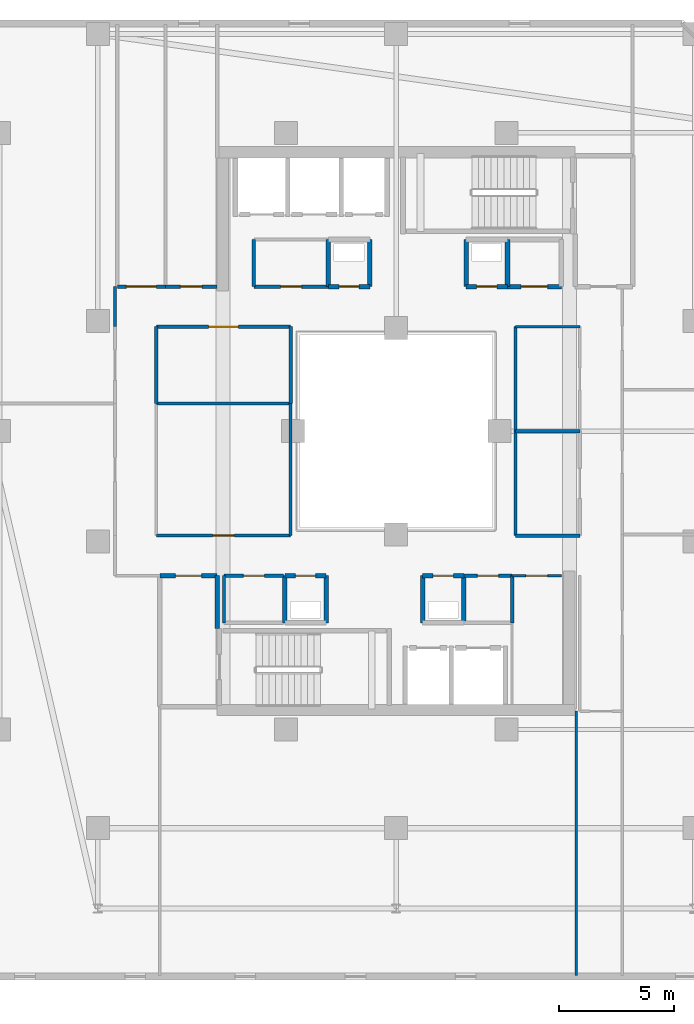
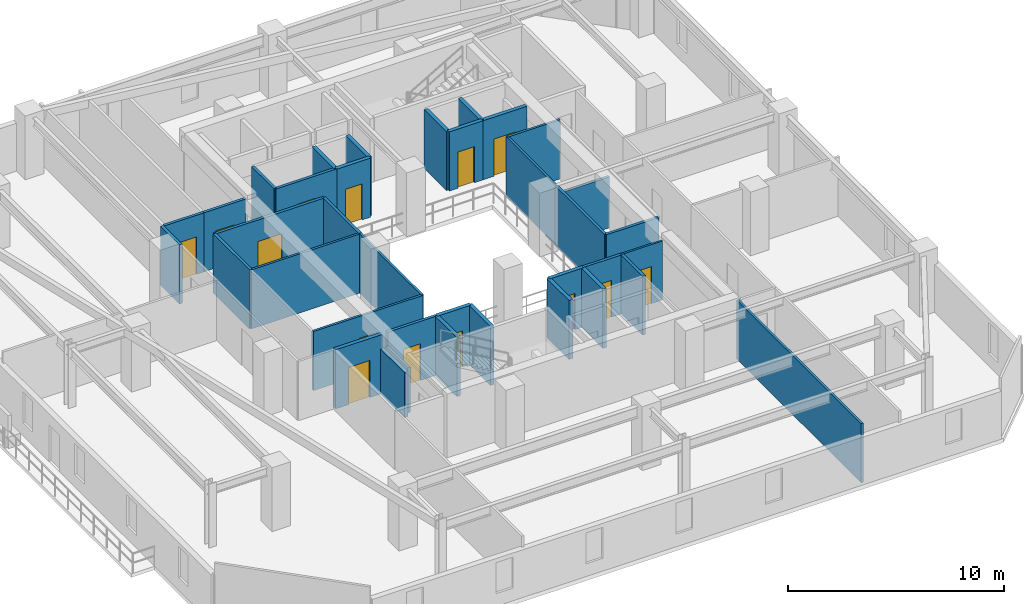
# One storey, part 19 of 32: 37 walls, 14 doors, 14 openings.
"""IFC4 building model written with IfcOpenShell, lengths in metres."""

from ifc_helpers import new_model, si_unit, direction, frame, frame_2d, origin, place, context, subcontext, project, spatial, rectangle, extrude, material, layer, layer_set, type_object, element, fill, save


model = new_model("IFC4")

# Units and contexts
model_context = context("Model", 3, precision=1e-05, world=origin(), true_north=direction((0.0, 1.0)))
body_context = subcontext(model_context, "Body", "Model", "MODEL_VIEW")
ifc_project = project(units=[si_unit("LENGTHUNIT", "METRE"), si_unit("AREAUNIT", "SQUARE_METRE"), si_unit("VOLUMEUNIT", "CUBIC_METRE"), si_unit("PLANEANGLEUNIT", "RADIAN"), si_unit("MASSUNIT", "GRAM", prefix="KILO")], contexts=[model_context])

# Site, building, storey
site_placement = place(None, origin())
site = spatial("IfcSite", under=ifc_project, at=site_placement, CompositionType="ELEMENT")
building_placement = place(site_placement, origin())
building = spatial("IfcBuilding", under=site, at=building_placement, Name="Thornwick Lancets Civic Towers", CompositionType="ELEMENT")
storey_placement = place(building_placement, frame((0.0, 0.0, 240.300048828125)))
storey = spatial("IfcBuildingStorey", under=building, at=storey_placement, Name="L64", CompositionType="ELEMENT", Elevation=240.300048828125)

# Wall
ifc_material_1 = material(Name="Concrete blockwork C40/50", Category="masonry")
ifc_layer_1 = layer(ifc_material_1, 0.199951171875, Name="Concrete blockwork C40/50")
ifc_layer_set_1 = layer_set([ifc_layer_1], Name="Concrete blockwork C40/50")
wall_type_1 = type_object("IfcWallType", Name="WALL_COMP_200", PredefinedType="STANDARD", material=ifc_layer_set_1)
wall_1_placement = place(storey_placement, frame((17.699951171875, 18.39990234375, 0.0), z_axis=(0.0, 0.0, 1.0), x_axis=(0.0, 1.0, 0.0)))
element("IfcWall", 1, at=wall_1_placement, inside=storey, type_object=wall_type_1, Name="L64 Partition L64-A-FFLOB1 E2", PredefinedType="STANDARD", context=body_context, shape_type="SweptSolid", body=[
    extrude(rectangle(XDim=2.300048828125, YDim=0.199951171875, at=frame_2d((1.14990234375, 0.0))), origin(), (0.0, 0.0, 1.0), 2.544921875),
])

# Wall, opening, door
wall_2_placement = place(storey_placement, frame((17.699951171875, 20.699951171875, 0.0), z_axis=(0.0, 0.0, 1.0), x_axis=(-1.0, 0.0, 0.0)))
wall_2 = element("IfcWall", 2, at=wall_2_placement, inside=storey, type_object=wall_type_1, Name="L64 Partition L64-A-FFLOB1 E3", PredefinedType="STANDARD", context=body_context, shape_type="SweptSolid", body=[
    extrude(rectangle(XDim=2.5, YDim=0.199951171875, at=frame_2d((1.25, 0.0))), origin(), (0.0, 0.0, 1.0), 3.33984375),
])
opening_1_placement = place(wall_2_placement, frame((0.675048828125, 0.0, 0.0)))
opening_1 = element("IfcOpeningElement", 3, at=opening_1_placement, cuts=wall_2, Name="Opening D-L64-2873", PredefinedType="OPENING", context=body_context, shape_type="SweptSolid", body=[
    extrude(rectangle(XDim=1.14990234375, YDim=2.10009765625, at=frame_2d((0.574951171875, 1.050048828125))), frame((0.0, 0.10986328125, 0.0), z_axis=(0.0, -1.0, 0.0), x_axis=(1.0, 0.0, 0.0)), (0.0, 0.0, 1.0), 0.219970703125),
])
ifc_material_2 = material(Name="Glazed fire-resisting steel", Category="steel")
door_type_1 = type_object("IfcDoorType", Name="DOOR_LOBBY_FD60", OperationType="NOTDEFINED", PredefinedType="DOOR", material=ifc_material_2)
door_1_placement = place(opening_1_placement, origin())
door_1 = element("IfcDoor", 4, at=door_1_placement, inside=storey, type_object=door_type_1, Name="L64 South Firefighting Lobby 1 Door", OperationType="SINGLE_SWING_RIGHT", OverallHeight=2.10009765625, OverallWidth=1.14990234375, PredefinedType="DOOR", context=body_context, shape_type="SweptSolid", body=[
    extrude(rectangle(XDim=1.14990234375, YDim=2.10009765625, at=frame_2d((0.574951171875, 1.050048828125))), frame((0.0, 0.02490234375, 0.0), z_axis=(0.0, -1.0, 0.0), x_axis=(1.0, 0.0, 0.0)), (0.0, 0.0, 1.0), 0.050048828125),
])
fill(opening_1, door_1)

# Wall
wall_3_placement = place(storey_placement, frame((28.449951171875, 18.64990234375, 0.0), z_axis=(0.0, 0.0, 1.0), x_axis=(0.0, 1.0, 0.0)))
element("IfcWall", 5, at=wall_3_placement, inside=storey, type_object=wall_type_1, Name="L64 Partition L64-A-DUCT1 E2", PredefinedType="STANDARD", context=body_context, shape_type="SweptSolid", body=[
    extrude(rectangle(XDim=2.050048828125, YDim=0.199951171875, at=frame_2d((1.02490234375, 0.0))), origin(), (0.0, 0.0, 1.0), 3.33984375),
])

# Wall, opening, door
wall_4_placement = place(storey_placement, frame((28.449951171875, 20.699951171875, 0.0), z_axis=(0.0, 0.0, 1.0), x_axis=(-1.0, 0.0, 0.0)))
wall_4 = element("IfcWall", 6, at=wall_4_placement, inside=storey, type_object=wall_type_1, Name="L64 Partition L64-A-DUCT1 E3", PredefinedType="STANDARD", context=body_context, shape_type="SweptSolid", body=[
    extrude(rectangle(XDim=1.800048828125, YDim=0.199951171875, at=frame_2d((0.89990234375, 0.0))), origin(), (0.0, 0.0, 1.0), 3.33984375),
])
opening_2_placement = place(wall_4_placement, frame((0.4599609375, 0.0, 0.0)))
opening_2 = element("IfcOpeningElement", 7, at=opening_2_placement, cuts=wall_4, Name="Opening D-L64-2875", PredefinedType="OPENING", context=body_context, shape_type="SweptSolid", body=[
    extrude(rectangle(XDim=0.8798828125, YDim=2.0400390625, at=frame_2d((0.43994140625, 1.02001953125))), frame((0.0, 0.10986328125, 0.0), z_axis=(0.0, -1.0, 0.0), x_axis=(1.0, 0.0, 0.0)), (0.0, 0.0, 1.0), 0.219970703125),
])
ifc_material_3 = material(Name="Steel riser access doorset", Category="steel")
door_type_2 = type_object("IfcDoorType", Name="DOOR_RISER_850", OperationType="NOTDEFINED", PredefinedType="DOOR", material=ifc_material_3)
door_2_placement = place(opening_2_placement, origin())
door_2 = element("IfcDoor", 8, at=door_2_placement, inside=storey, type_object=door_type_2, Name="L64 South Service Duct 1 Door", OperationType="SINGLE_SWING_RIGHT", OverallHeight=2.0400390625, OverallWidth=0.8798828125, PredefinedType="DOOR", context=body_context, shape_type="SweptSolid", body=[
    extrude(rectangle(XDim=0.8798828125, YDim=2.0400390625, at=frame_2d((0.43994140625, 1.02001953125))), frame((0.0, 0.02490234375, 0.0), z_axis=(0.0, -1.0, 0.0), x_axis=(1.0, 0.0, 0.0)), (0.0, 0.0, 1.0), 0.050048828125),
])
fill(opening_2, door_2)

# Walls
for number, where, z_axis, x_axis, name in (
    (9, (26.64990234375, 20.699951171875, 0.0), (0.0, 0.0, 1.0), (0.0, -1.0, 0.0), "L64 Partition L64-A-DUCT1 E4"),
    (10, (22.449951171875, 18.64990234375, 0.0), (0.0, 0.0, 1.0), (0.0, 1.0, 0.0), "L64 Partition L64-A-RISER1 E2"),
):
    element("IfcWall", number, at=place(storey_placement, frame(where, z_axis=z_axis, x_axis=x_axis)), inside=storey, type_object=wall_type_1, Name=name, PredefinedType="STANDARD", context=body_context, shape_type="SweptSolid", body=[
        extrude(rectangle(XDim=2.050048828125, YDim=0.199951171875, at=frame_2d((1.02490234375, 0.0))), origin(), (0.0, 0.0, 1.0), 3.33984375),
    ])

# Wall, opening, door
wall_5_placement = place(storey_placement, frame((22.449951171875, 20.699951171875, 0.0), z_axis=(0.0, 0.0, 1.0), x_axis=(-1.0, 0.0, 0.0)))
wall_5 = element("IfcWall", 11, at=wall_5_placement, inside=storey, type_object=wall_type_1, Name="L64 Partition L64-A-RISER1 E3", PredefinedType="STANDARD", context=body_context, shape_type="SweptSolid", body=[
    extrude(rectangle(XDim=1.800048828125, YDim=0.199951171875, at=frame_2d((0.89990234375, 0.0))), origin(), (0.0, 0.0, 1.0), 3.33984375),
])
opening_3_placement = place(wall_5_placement, frame((0.4599609375, 0.0, 0.0)))
opening_3 = element("IfcOpeningElement", 12, at=opening_3_placement, cuts=wall_5, Name="Opening D-L64-2876", PredefinedType="OPENING", context=body_context, shape_type="SweptSolid", body=[
    extrude(rectangle(XDim=0.8798828125, YDim=2.0400390625, at=frame_2d((0.43994140625, 1.02001953125))), frame((0.0, 0.10986328125, 0.0), z_axis=(0.0, -1.0, 0.0), x_axis=(1.0, 0.0, 0.0)), (0.0, 0.0, 1.0), 0.219970703125),
])
door_3_placement = place(opening_3_placement, origin())
door_3 = element("IfcDoor", 13, at=door_3_placement, inside=storey, type_object=door_type_2, Name="L64 South Electrical Riser 1 Door", OperationType="SINGLE_SWING_LEFT", OverallHeight=2.0400390625, OverallWidth=0.8798828125, PredefinedType="DOOR", context=body_context, shape_type="SweptSolid", body=[
    extrude(rectangle(XDim=0.8798828125, YDim=2.0400390625, at=frame_2d((0.43994140625, 1.02001953125))), frame((0.0, 0.02490234375, 0.0), z_axis=(0.0, -1.0, 0.0), x_axis=(1.0, 0.0, 0.0)), (0.0, 0.0, 1.0), 0.050048828125),
])
fill(opening_3, door_3)

# Wall
wall_6_placement = place(storey_placement, frame((20.64990234375, 20.699951171875, 0.0), z_axis=(0.0, 0.0, 1.0), x_axis=(0.0, -1.0, 0.0)))
element("IfcWall", 14, at=wall_6_placement, inside=storey, type_object=wall_type_1, Name="L64 Partition L64-A-RISER1 E4", PredefinedType="STANDARD", context=body_context, shape_type="SweptSolid", body=[
    extrude(rectangle(XDim=2.050048828125, YDim=0.199951171875, at=frame_2d((1.02490234375, 0.0))), origin(), (0.0, 0.0, 1.0), 3.33984375),
])

# Wall, opening, door
wall_7_placement = place(storey_placement, frame((22.550048828125, 33.300048828125, 0.0), z_axis=(0.0, 0.0, 1.0), x_axis=(1.0, 0.0, 0.0)))
wall_7 = element("IfcWall", 15, at=wall_7_placement, inside=storey, type_object=wall_type_1, Name="L64 Partition L64-A-DUCT2 E1", PredefinedType="STANDARD", context=body_context, shape_type="SweptSolid", body=[
    extrude(rectangle(XDim=1.800048828125, YDim=0.199951171875, at=frame_2d((0.89990234375, 0.0))), origin(), (0.0, 0.0, 1.0), 3.33984375),
])
opening_4_placement = place(wall_7_placement, frame((0.4599609375, 0.0, 0.0)))
opening_4 = element("IfcOpeningElement", 16, at=opening_4_placement, cuts=wall_7, Name="Opening D-L64-2877", PredefinedType="OPENING", context=body_context, shape_type="SweptSolid", body=[
    extrude(rectangle(XDim=0.8798828125, YDim=2.0400390625, at=frame_2d((0.43994140625, 1.02001953125))), frame((0.0, 0.10986328125, 0.0), z_axis=(0.0, -1.0, 0.0), x_axis=(1.0, 0.0, 0.0)), (0.0, 0.0, 1.0), 0.219970703125),
])
door_4_placement = place(opening_4_placement, origin())
door_4 = element("IfcDoor", 17, at=door_4_placement, inside=storey, type_object=door_type_2, Name="L64 North Service Duct 2 Door", OperationType="SINGLE_SWING_RIGHT", OverallHeight=2.0400390625, OverallWidth=0.8798828125, PredefinedType="DOOR", context=body_context, shape_type="SweptSolid", body=[
    extrude(rectangle(XDim=0.8798828125, YDim=2.0400390625, at=frame_2d((0.43994140625, 1.02001953125))), frame((0.0, 0.02490234375, 0.0), z_axis=(0.0, -1.0, 0.0), x_axis=(1.0, 0.0, 0.0)), (0.0, 0.0, 1.0), 0.050048828125),
])
fill(opening_4, door_4)

# Walls
for number, where, z_axis, x_axis, name in (
    (18, (24.35009765625, 33.300048828125, 0.0), (0.0, 0.0, 1.0), (0.0, 1.0, 0.0), "L64 Partition L64-A-DUCT2 E2"),
    (19, (22.550048828125, 35.35009765625, 0.0), (0.0, 0.0, 1.0), (0.0, -1.0, 0.0), "L64 Partition L64-A-DUCT2 E4"),
):
    element("IfcWall", number, at=place(storey_placement, frame(where, z_axis=z_axis, x_axis=x_axis)), inside=storey, type_object=wall_type_1, Name=name, PredefinedType="STANDARD", context=body_context, shape_type="SweptSolid", body=[
        extrude(rectangle(XDim=2.050048828125, YDim=0.199951171875, at=frame_2d((1.02490234375, 0.0))), origin(), (0.0, 0.0, 1.0), 3.33984375),
    ])

# Wall, opening, door
wall_8_placement = place(storey_placement, frame((28.550048828125, 33.300048828125, 0.0), z_axis=(0.0, 0.0, 1.0), x_axis=(1.0, 0.0, 0.0)))
wall_8 = element("IfcWall", 20, at=wall_8_placement, inside=storey, type_object=wall_type_1, Name="L64 Partition L64-A-RISER2 E1", PredefinedType="STANDARD", context=body_context, shape_type="SweptSolid", body=[
    extrude(rectangle(XDim=1.800048828125, YDim=0.199951171875, at=frame_2d((0.89990234375, 0.0))), origin(), (0.0, 0.0, 1.0), 3.33984375),
])
opening_5_placement = place(wall_8_placement, frame((0.4599609375, 0.0, 0.0)))
opening_5 = element("IfcOpeningElement", 21, at=opening_5_placement, cuts=wall_8, Name="Opening D-L64-2878", PredefinedType="OPENING", context=body_context, shape_type="SweptSolid", body=[
    extrude(rectangle(XDim=0.8798828125, YDim=2.0400390625, at=frame_2d((0.43994140625, 1.02001953125))), frame((0.0, 0.10986328125, 0.0), z_axis=(0.0, -1.0, 0.0), x_axis=(1.0, 0.0, 0.0)), (0.0, 0.0, 1.0), 0.219970703125),
])
door_5_placement = place(opening_5_placement, origin())
door_5 = element("IfcDoor", 22, at=door_5_placement, inside=storey, type_object=door_type_2, Name="L64 North Service Riser 2 Door", OperationType="SINGLE_SWING_LEFT", OverallHeight=2.0400390625, OverallWidth=0.8798828125, PredefinedType="DOOR", context=body_context, shape_type="SweptSolid", body=[
    extrude(rectangle(XDim=0.8798828125, YDim=2.0400390625, at=frame_2d((0.43994140625, 1.02001953125))), frame((0.0, 0.02490234375, 0.0), z_axis=(0.0, -1.0, 0.0), x_axis=(1.0, 0.0, 0.0)), (0.0, 0.0, 1.0), 0.050048828125),
])
fill(opening_5, door_5)

# Walls
for number, where, z_axis, x_axis, name in (
    (23, (30.35009765625, 33.300048828125, 0.0), (0.0, 0.0, 1.0), (0.0, 1.0, 0.0), "L64 Partition L64-A-RISER2 E2"),
    (24, (28.550048828125, 35.35009765625, 0.0), (0.0, 0.0, 1.0), (0.0, -1.0, 0.0), "L64 Partition L64-A-RISER2 E4"),
):
    element("IfcWall", number, at=place(storey_placement, frame(where, z_axis=z_axis, x_axis=x_axis)), inside=storey, type_object=wall_type_1, Name=name, PredefinedType="STANDARD", context=body_context, shape_type="SweptSolid", body=[
        extrude(rectangle(XDim=2.050048828125, YDim=0.199951171875, at=frame_2d((1.02490234375, 0.0))), origin(), (0.0, 0.0, 1.0), 3.33984375),
    ])

# Wall, opening, door
wall_9_placement = place(storey_placement, frame((32.699951171875, 33.300048828125, 0.0), z_axis=(0.0, 0.0, 1.0), x_axis=(-1.0, 0.0, 0.0)))
wall_9 = element("IfcWall", 25, at=wall_9_placement, inside=storey, type_object=wall_type_1, Name="L64 Partition L64-A-STR E2", PredefinedType="STANDARD", context=body_context, shape_type="SweptSolid", body=[
    extrude(rectangle(XDim=2.349853515625, YDim=0.199951171875, at=frame_2d((1.1748046875, 0.0))), origin(), (0.0, 0.0, 1.0), 3.33984375),
])
opening_6_placement = place(wall_9_placement, frame((0.60009765625, 0.0, 0.0)))
opening_6 = element("IfcOpeningElement", 26, at=opening_6_placement, cuts=wall_9, Name="Opening D-L64-2883", PredefinedType="OPENING", context=body_context, shape_type="SweptSolid", body=[
    extrude(rectangle(XDim=1.14990234375, YDim=2.10009765625, at=frame_2d((0.574951171875, 1.050048828125))), frame((0.0, 0.10986328125, 0.0), z_axis=(0.0, -1.0, 0.0), x_axis=(1.0, 0.0, 0.0)), (0.0, 0.0, 1.0), 0.219970703125),
])
door_6_placement = place(opening_6_placement, origin())
door_6 = element("IfcDoor", 27, at=door_6_placement, inside=storey, type_object=door_type_1, Name="L64 Tower A Core Equipment Store Door", OperationType="SINGLE_SWING_RIGHT", OverallHeight=2.10009765625, OverallWidth=1.14990234375, PredefinedType="DOOR", context=body_context, shape_type="SweptSolid", body=[
    extrude(rectangle(XDim=1.14990234375, YDim=2.10009765625, at=frame_2d((0.574951171875, 1.050048828125))), frame((0.0, 0.02490234375, 0.0), z_axis=(0.0, -1.0, 0.0), x_axis=(1.0, 0.0, 0.0)), (0.0, 0.0, 1.0), 0.050048828125),
])
fill(opening_6, door_6)

ifc_material_4 = material(Name="Lightweight cellular office partition")
ifc_layer_2 = layer(ifc_material_4, 0.10009765625, Name="Lightweight cellular office partition")
ifc_layer_set_2 = layer_set([ifc_layer_2], Name="Lightweight cellular office partition")
wall_type_2 = type_object("IfcWallType", Name="WALL_PART_100", PredefinedType="PARTITIONING", material=ifc_layer_set_2)
wall_10_placement = place(storey_placement, frame((30.550048828125, 20.699951171875, 0.0), z_axis=(0.0, 0.0, 1.0), x_axis=(1.0, 0.0, 0.0)))
wall_10 = element("IfcWall", 28, at=wall_10_placement, inside=storey, type_object=wall_type_2, Name="L64 Partition L64-A-CLN E5", PredefinedType="PARTITIONING", context=body_context, shape_type="SweptSolid", body=[
    extrude(rectangle(XDim=2.14990234375, YDim=0.10009765625, at=frame_2d((1.074951171875, 0.0))), origin(), (0.0, 0.0, 1.0), 3.33984375),
])
opening_7_placement = place(wall_10_placement, frame((0.60009765625, 0.0, 0.0)))
opening_7 = element("IfcOpeningElement", 29, at=opening_7_placement, cuts=wall_10, Name="Opening D-L64-2881", PredefinedType="OPENING", context=body_context, shape_type="SweptSolid", body=[
    extrude(rectangle(XDim=0.949951171875, YDim=2.10009765625, at=frame_2d((0.47509765625, 1.050048828125))), frame((0.0, 0.06005859375, 0.0), z_axis=(0.0, -1.0, 0.0), x_axis=(1.0, 0.0, 0.0)), (0.0, 0.0, 1.0), 0.1201171875),
])
ifc_material_5 = material(Name="European oak acoustic doorset")
door_type_3 = type_object("IfcDoorType", Name="DOOR_OFFICE_950", OperationType="NOTDEFINED", PredefinedType="DOOR", material=ifc_material_5)
door_7_placement = place(opening_7_placement, origin())
door_7 = element("IfcDoor", 30, at=door_7_placement, inside=storey, type_object=door_type_3, Name="L64 Tower A Cleaners Store Door", OperationType="SINGLE_SWING_RIGHT", OverallHeight=2.10009765625, OverallWidth=0.949951171875, PredefinedType="DOOR", context=body_context, shape_type="SweptSolid", body=[
    extrude(rectangle(XDim=0.949951171875, YDim=2.10009765625, at=frame_2d((0.47509765625, 1.050048828125))), frame((0.0, 0.02490234375, 0.0), z_axis=(0.0, -1.0, 0.0), x_axis=(1.0, 0.0, 0.0)), (0.0, 0.0, 1.0), 0.050048828125),
])
fill(opening_7, door_7)

# Walls
ifc_material_6 = material(Name="Acoustic gypsum board partition")
ifc_layer_3 = layer(ifc_material_6, 0.1201171875, Name="Acoustic gypsum board partition")
ifc_layer_set_3 = layer_set([ifc_layer_3], Name="Acoustic gypsum board partition")
wall_type_3 = type_object("IfcWallType", Name="WALL_PART_120", PredefinedType="PARTITIONING", material=ifc_layer_set_3)
wall_11_placement = place(storey_placement, frame((33.35009765625, 3.280029296875, 0.0), z_axis=(0.0, 0.0, 1.0), x_axis=(0.0, 1.0, 0.0)))
element("IfcWall", 31, at=wall_11_placement, inside=storey, type_object=wall_type_3, Name="L64 Partition L64-A-RECLAIM-L E5", PredefinedType="PARTITIONING", context=body_context, shape_type="SweptSolid", body=[
    extrude(rectangle(XDim=11.52001953125, YDim=0.1201171875, at=frame_2d((5.760009765625, 0.0))), origin(), (0.0, 0.0, 1.0), 3.33984375),
])
wall_12_placement = place(storey_placement, frame((15.050048828125, 28.199951171875, 0.0), z_axis=(0.0, 0.0, 1.0), x_axis=(1.0, 0.0, 0.0)))
element("IfcWall", 32, at=wall_12_placement, inside=storey, type_object=wall_type_3, Name="L64 Partition L64-A-W3 E2", PredefinedType="PARTITIONING", context=body_context, shape_type="SweptSolid", body=[
    extrude(rectangle(XDim=5.849853515625, YDim=0.1201171875, at=frame_2d((2.9248046875, 0.0))), origin(), (0.0, 0.0, 1.0), 3.33984375),
])
wall_13_placement = place(storey_placement, frame((20.89990234375, 28.199951171875, 0.0), z_axis=(0.0, 0.0, 1.0), x_axis=(0.0, -1.0, 0.0)))
element("IfcWall", 33, at=wall_13_placement, inside=storey, type_object=wall_type_3, Name="L64 Partition L64-A-W3 E3", PredefinedType="PARTITIONING", context=body_context, shape_type="SweptSolid", body=[
    extrude(rectangle(XDim=5.75, YDim=0.1201171875, at=frame_2d((2.875, 0.0))), origin(), (0.0, 0.0, 1.0), 3.33984375),
])

# Wall, opening, door
wall_14_placement = place(storey_placement, frame((20.89990234375, 22.449951171875, 0.0), z_axis=(0.0, 0.0, 1.0), x_axis=(-1.0, 0.0, 0.0)))
wall_14 = element("IfcWall", 34, at=wall_14_placement, inside=storey, type_object=wall_type_3, Name="L64 Partition L64-A-W3 E4", PredefinedType="PARTITIONING", context=body_context, shape_type="SweptSolid", body=[
    extrude(rectangle(XDim=5.849853515625, YDim=0.1201171875, at=frame_2d((2.9248046875, 0.0))), origin(), (0.0, 0.0, 1.0), 3.33984375),
])
opening_8_placement = place(wall_14_placement, frame((2.449951171875, 0.0, 0.0)))
opening_8 = element("IfcOpeningElement", 35, at=opening_8_placement, cuts=wall_14, Name="Opening D-L64-2900", PredefinedType="OPENING", context=body_context, shape_type="SweptSolid", body=[
    extrude(rectangle(XDim=0.949951171875, YDim=2.10009765625, at=frame_2d((0.47509765625, 1.050048828125))), frame((0.0, 0.070068359375, 0.0), z_axis=(0.0, -1.0, 0.0), x_axis=(1.0, 0.0, 0.0)), (0.0, 0.0, 1.0), 0.14013671875),
])
door_8_placement = place(opening_8_placement, origin())
door_8 = element("IfcDoor", 36, at=door_8_placement, inside=storey, type_object=door_type_3, Name="L64 Tower A Staff Tea Pantry and Lounge Door", OperationType="SINGLE_SWING_LEFT", OverallHeight=2.10009765625, OverallWidth=0.949951171875, PredefinedType="DOOR", context=body_context, shape_type="SweptSolid", body=[
    extrude(rectangle(XDim=0.949951171875, YDim=2.10009765625, at=frame_2d((0.47509765625, 1.050048828125))), frame((0.0, 0.02490234375, 0.0), z_axis=(0.0, -1.0, 0.0), x_axis=(1.0, 0.0, 0.0)), (0.0, 0.0, 1.0), 0.050048828125),
])
fill(opening_8, door_8)

# Walls
wall_15_placement = place(storey_placement, frame((30.699951171875, 27.0, 0.0), z_axis=(0.0, 0.0, 1.0), x_axis=(0.0, 1.0, 0.0)))
element("IfcWall", 37, at=wall_15_placement, inside=storey, type_object=wall_type_3, Name="L64 Partition L64-A-E-ATR-2 E1", PredefinedType="PARTITIONING", context=body_context, shape_type="SweptSolid", body=[
    extrude(rectangle(XDim=4.550048828125, YDim=0.1201171875, at=frame_2d((2.27490234375, 0.0))), origin(), (0.0, 0.0, 1.0), 3.33984375),
])
wall_16_placement = place(storey_placement, frame((30.699951171875, 31.550048828125, 0.0), z_axis=(0.0, 0.0, 1.0), x_axis=(1.0, 0.0, 0.0)))
element("IfcWall", 38, at=wall_16_placement, inside=storey, type_object=wall_type_3, Name="L64 Partition L64-A-E-ATR-2 E2", PredefinedType="PARTITIONING", context=body_context, shape_type="SweptSolid", body=[
    extrude(rectangle(XDim=2.800048828125, YDim=0.1201171875, at=frame_2d((1.39990234375, 0.0))), origin(), (0.0, 0.0, 1.0), 3.33984375),
])

# Wall, opening, door
ifc_material_7 = material(Name="Twin-stud acoustic gypsum board")
ifc_layer_4 = layer(ifc_material_7, 0.14990234375, Name="Twin-stud acoustic gypsum board")
ifc_layer_set_4 = layer_set([ifc_layer_4], Name="Twin-stud acoustic gypsum board")
wall_type_4 = type_object("IfcWallType", Name="WALL_PART_150", PredefinedType="PARTITIONING", material=ifc_layer_set_4)
wall_17_placement = place(storey_placement, frame((20.60009765625, 20.699951171875, 0.0), z_axis=(0.0, 0.0, 1.0), x_axis=(-1.0, 0.0, 0.0)))
wall_17 = element("IfcWall", 39, at=wall_17_placement, inside=storey, type_object=wall_type_4, Name="L64 Partition L64-A-AWC E3", PredefinedType="PARTITIONING", context=body_context, shape_type="SweptSolid", body=[
    extrude(rectangle(XDim=2.60009765625, YDim=0.14990234375, at=frame_2d((1.300048828125, 0.0))), origin(), (0.0, 0.0, 1.0), 3.33984375),
])
opening_9_placement = place(wall_17_placement, frame((0.840087890625, 0.0, 0.0)))
opening_9 = element("IfcOpeningElement", 40, at=opening_9_placement, cuts=wall_17, Name="Opening D-L64-2879", PredefinedType="OPENING", context=body_context, shape_type="SweptSolid", body=[
    extrude(rectangle(XDim=0.919921875, YDim=2.080078125, at=frame_2d((0.4599609375, 1.0400390625))), frame((0.0, 0.0849609375, 0.0), z_axis=(0.0, -1.0, 0.0), x_axis=(1.0, 0.0, 0.0)), (0.0, 0.0, 1.0), 0.169921875),
])
ifc_material_8 = material(Name="Moisture-resistant oak doorset")
door_type_4 = type_object("IfcDoorType", Name="DOOR_WC_900", OperationType="NOTDEFINED", PredefinedType="DOOR", material=ifc_material_8)
door_9_placement = place(opening_9_placement, origin())
door_9 = element("IfcDoor", 41, at=door_9_placement, inside=storey, type_object=door_type_4, Name="L64 Tower A Accessible WC Door", OperationType="SINGLE_SWING_RIGHT", OverallHeight=2.080078125, OverallWidth=0.919921875, PredefinedType="DOOR", context=body_context, shape_type="SweptSolid", body=[
    extrude(rectangle(XDim=0.919921875, YDim=2.080078125, at=frame_2d((0.4599609375, 1.0400390625))), frame((0.0, 0.02490234375, 0.0), z_axis=(0.0, -1.0, 0.0), x_axis=(1.0, 0.0, 0.0)), (0.0, 0.0, 1.0), 0.050048828125),
])
fill(opening_9, door_9)

# Walls
wall_18_placement = place(storey_placement, frame((18.0, 20.699951171875, 0.0), z_axis=(0.0, 0.0, 1.0), x_axis=(0.0, -1.0, 0.0)))
element("IfcWall", 42, at=wall_18_placement, inside=storey, type_object=wall_type_4, Name="L64 Partition L64-A-AWC E4", PredefinedType="PARTITIONING", context=body_context, shape_type="SweptSolid", body=[
    extrude(rectangle(XDim=2.050048828125, YDim=0.14990234375, at=frame_2d((1.02490234375, 0.0))), origin(), (0.0, 0.0, 1.0), 2.544921875),
])
wall_19_placement = place(storey_placement, frame((30.550048828125, 20.699951171875, 0.0), z_axis=(0.0, 0.0, 1.0), x_axis=(0.0, -1.0, 0.0)))
element("IfcWall", 43, at=wall_19_placement, inside=storey, type_object=wall_type_4, Name="L64 Partition L64-A-MWC E1", PredefinedType="PARTITIONING", context=body_context, shape_type="SweptSolid", body=[
    extrude(rectangle(XDim=2.050048828125, YDim=0.14990234375, at=frame_2d((1.02490234375, 0.0))), origin(), (0.0, 0.0, 1.0), 3.33984375),
])

# Wall, opening, door
wall_20_placement = place(storey_placement, frame((28.449951171875, 20.699951171875, 0.0), z_axis=(0.0, 0.0, 1.0), x_axis=(1.0, 0.0, 0.0)))
wall_20 = element("IfcWall", 44, at=wall_20_placement, inside=storey, type_object=wall_type_4, Name="L64 Partition L64-A-MWC E4", PredefinedType="PARTITIONING", context=body_context, shape_type="SweptSolid", body=[
    extrude(rectangle(XDim=2.10009765625, YDim=0.14990234375, at=frame_2d((1.050048828125, 0.0))), origin(), (0.0, 0.0, 1.0), 3.33984375),
])
opening_10_placement = place(wall_20_placement, frame((0.590087890625, 0.0, 0.0)))
opening_10 = element("IfcOpeningElement", 45, at=opening_10_placement, cuts=wall_20, Name="Opening D-L64-2880", PredefinedType="OPENING", context=body_context, shape_type="SweptSolid", body=[
    extrude(rectangle(XDim=0.919921875, YDim=2.080078125, at=frame_2d((0.4599609375, 1.0400390625))), frame((0.0, 0.0849609375, 0.0), z_axis=(0.0, -1.0, 0.0), x_axis=(1.0, 0.0, 0.0)), (0.0, 0.0, 1.0), 0.169921875),
])
door_10_placement = place(opening_10_placement, origin())
door_10 = element("IfcDoor", 46, at=door_10_placement, inside=storey, type_object=door_type_4, Name="L64 Tower A Male WC Door", OperationType="SINGLE_SWING_LEFT", OverallHeight=2.080078125, OverallWidth=0.919921875, PredefinedType="DOOR", context=body_context, shape_type="SweptSolid", body=[
    extrude(rectangle(XDim=0.919921875, YDim=2.080078125, at=frame_2d((0.4599609375, 1.0400390625))), frame((0.0, 0.02490234375, 0.0), z_axis=(0.0, -1.0, 0.0), x_axis=(1.0, 0.0, 0.0)), (0.0, 0.0, 1.0), 0.050048828125),
])
fill(opening_10, door_10)

# Wall
wall_21_placement = place(storey_placement, frame((19.300048828125, 33.300048828125, 0.0), z_axis=(0.0, 0.0, 1.0), x_axis=(0.0, 1.0, 0.0)))
element("IfcWall", 47, at=wall_21_placement, inside=storey, type_object=wall_type_4, Name="L64 Partition L64-A-FWC E1", PredefinedType="PARTITIONING", context=body_context, shape_type="SweptSolid", body=[
    extrude(rectangle(XDim=2.050048828125, YDim=0.14990234375, at=frame_2d((1.02490234375, 0.0))), origin(), (0.0, 0.0, 1.0), 3.33984375),
])

# Wall, opening, door
wall_22_placement = place(storey_placement, frame((22.550048828125, 33.300048828125, 0.0), z_axis=(0.0, 0.0, 1.0), x_axis=(-1.0, 0.0, 0.0)))
wall_22 = element("IfcWall", 48, at=wall_22_placement, inside=storey, type_object=wall_type_4, Name="L64 Partition L64-A-FWC E4", PredefinedType="PARTITIONING", context=body_context, shape_type="SweptSolid", body=[
    extrude(rectangle(XDim=3.25, YDim=0.14990234375, at=frame_2d((1.625, 0.0))), origin(), (0.0, 0.0, 1.0), 3.33984375),
])
opening_11_placement = place(wall_22_placement, frame((1.1650390625, 0.0, 0.0)))
opening_11 = element("IfcOpeningElement", 49, at=opening_11_placement, cuts=wall_22, Name="Opening D-L64-2882", PredefinedType="OPENING", context=body_context, shape_type="SweptSolid", body=[
    extrude(rectangle(XDim=0.919921875, YDim=2.080078125, at=frame_2d((0.4599609375, 1.0400390625))), frame((0.0, 0.0849609375, 0.0), z_axis=(0.0, -1.0, 0.0), x_axis=(1.0, 0.0, 0.0)), (0.0, 0.0, 1.0), 0.169921875),
])
door_11_placement = place(opening_11_placement, origin())
door_11 = element("IfcDoor", 50, at=door_11_placement, inside=storey, type_object=door_type_4, Name="L64 Tower A Female WC Door", OperationType="SINGLE_SWING_LEFT", OverallHeight=2.080078125, OverallWidth=0.919921875, PredefinedType="DOOR", context=body_context, shape_type="SweptSolid", body=[
    extrude(rectangle(XDim=0.919921875, YDim=2.080078125, at=frame_2d((0.4599609375, 1.0400390625))), frame((0.0, 0.02490234375, 0.0), z_axis=(0.0, -1.0, 0.0), x_axis=(1.0, 0.0, 0.0)), (0.0, 0.0, 1.0), 0.050048828125),
])
fill(opening_11, door_11)

wall_23_placement = place(storey_placement, frame((15.449951171875, 33.300048828125, 0.0), z_axis=(0.0, 0.0, 1.0), x_axis=(-1.0, 0.0, 0.0)))
wall_23 = element("IfcWall", 51, at=wall_23_placement, inside=storey, type_object=wall_type_4, Name="L64 Partition L64-A-RECLAIM-M1 E4", PredefinedType="PARTITIONING", context=body_context, shape_type="SweptSolid", body=[
    extrude(rectangle(XDim=2.099853515625, YDim=0.14990234375, at=frame_2d((1.0498046875, 0.0))), origin(), (0.0, 0.0, 1.0), 3.33984375),
])
opening_12_placement = place(wall_23_placement, frame((0.39990234375, 0.0, 0.0)))
opening_12 = element("IfcOpeningElement", 52, at=opening_12_placement, cuts=wall_23, Name="Opening D-L64-2896", PredefinedType="OPENING", context=body_context, shape_type="SweptSolid", body=[
    extrude(rectangle(XDim=1.300048828125, YDim=2.1201171875, at=frame_2d((0.64990234375, 1.06005859375))), frame((0.0, 0.0849609375, 0.0), z_axis=(0.0, -1.0, 0.0), x_axis=(1.0, 0.0, 0.0)), (0.0, 0.0, 1.0), 0.169921875),
])
ifc_material_9 = material(Name="Acoustic oak leaf-and-a-half doorset")
door_type_5 = type_object("IfcDoorType", Name="DOOR_MEET_1300", OperationType="DOUBLE_DOOR_SINGLE_SWING", PredefinedType="DOOR", material=ifc_material_9)
door_12_placement = place(opening_12_placement, origin())
door_12 = element("IfcDoor", 53, at=door_12_placement, inside=storey, type_object=door_type_5, Name="L64 Tower A Diplomatic Conference Room Door", OperationType="DOUBLE_DOOR_SINGLE_SWING", OverallHeight=2.1201171875, OverallWidth=1.300048828125, PredefinedType="DOOR", context=body_context, shape_type="SweptSolid", body=[
    extrude(rectangle(XDim=1.300048828125, YDim=2.1201171875, at=frame_2d((0.64990234375, 1.06005859375))), frame((0.0, 0.02490234375, 0.0), z_axis=(0.0, -1.0, 0.0), x_axis=(1.0, 0.0, 0.0)), (0.0, 0.0, 1.0), 0.050048828125),
])
fill(opening_12, door_12)

wall_24_placement = place(storey_placement, frame((17.699951171875, 33.300048828125, 0.0), z_axis=(0.0, 0.0, 1.0), x_axis=(-1.0, 0.0, 0.0)))
wall_24 = element("IfcWall", 54, at=wall_24_placement, inside=storey, type_object=wall_type_4, Name="L64 Partition L64-A-RECLAIM-M2 E4", PredefinedType="PARTITIONING", context=body_context, shape_type="SweptSolid", body=[
    extrude(rectangle(XDim=2.25, YDim=0.14990234375, at=frame_2d((1.125, 0.0))), origin(), (0.0, 0.0, 1.0), 3.33984375),
])
opening_13_placement = place(wall_24_placement, frame((0.64990234375, 0.0, 0.0)))
opening_13 = element("IfcOpeningElement", 55, at=opening_13_placement, cuts=wall_24, Name="Opening D-L64-2897", PredefinedType="OPENING", context=body_context, shape_type="SweptSolid", body=[
    extrude(rectangle(XDim=0.949951171875, YDim=2.10009765625, at=frame_2d((0.47509765625, 1.050048828125))), frame((0.0, 0.0849609375, 0.0), z_axis=(0.0, -1.0, 0.0), x_axis=(1.0, 0.0, 0.0)), (0.0, 0.0, 1.0), 0.169921875),
])
door_13_placement = place(opening_13_placement, origin())
door_13 = element("IfcDoor", 56, at=door_13_placement, inside=storey, type_object=door_type_3, Name="L64 Tower A Executive Records Archive Door", OperationType="SINGLE_SWING_RIGHT", OverallHeight=2.10009765625, OverallWidth=0.949951171875, PredefinedType="DOOR", context=body_context, shape_type="SweptSolid", body=[
    extrude(rectangle(XDim=0.949951171875, YDim=2.10009765625, at=frame_2d((0.47509765625, 1.050048828125))), frame((0.0, 0.02490234375, 0.0), z_axis=(0.0, -1.0, 0.0), x_axis=(1.0, 0.0, 0.0)), (0.0, 0.0, 1.0), 0.050048828125),
])
fill(opening_13, door_13)

# Walls
wall_25_placement = place(storey_placement, frame((13.25, 33.300048828125, 0.0), z_axis=(0.0, 0.0, 1.0), x_axis=(0.0, -1.0, 0.0)))
element("IfcWall", 57, at=wall_25_placement, inside=storey, type_object=wall_type_4, Name="L64 Partition L64-A-W2 E5", PredefinedType="PARTITIONING", context=body_context, shape_type="SweptSolid", body=[
    extrude(rectangle(XDim=1.75, YDim=0.14990234375, at=frame_2d((0.875, 0.0))), origin(), (0.0, 0.0, 1.0), 3.33984375),
])
wall_26_placement = place(storey_placement, frame((15.050048828125, 28.199951171875, 0.0), z_axis=(0.0, 0.0, 1.0), x_axis=(0.0, 1.0, 0.0)))
element("IfcWall", 58, at=wall_26_placement, inside=storey, type_object=wall_type_4, Name="L64 Partition L64-A-W4 E1", PredefinedType="PARTITIONING", context=body_context, shape_type="SweptSolid", body=[
    extrude(rectangle(XDim=3.35009765625, YDim=0.14990234375, at=frame_2d((1.675048828125, 0.0))), origin(), (0.0, 0.0, 1.0), 3.33984375),
])

# Wall, opening, door
wall_27_placement = place(storey_placement, frame((15.050048828125, 31.550048828125, 0.0), z_axis=(0.0, 0.0, 1.0), x_axis=(1.0, 0.0, 0.0)))
wall_27 = element("IfcWall", 59, at=wall_27_placement, inside=storey, type_object=wall_type_4, Name="L64 Partition L64-A-W4 E2", PredefinedType="PARTITIONING", context=body_context, shape_type="SweptSolid", body=[
    extrude(rectangle(XDim=5.849853515625, YDim=0.14990234375, at=frame_2d((2.9248046875, 0.0))), origin(), (0.0, 0.0, 1.0), 3.33984375),
])
opening_14_placement = place(wall_27_placement, frame((2.27490234375, 0.0, 0.0)))
opening_14 = element("IfcOpeningElement", 60, at=opening_14_placement, cuts=wall_27, Name="Opening D-L64-2901", PredefinedType="OPENING", context=body_context, shape_type="SweptSolid", body=[
    extrude(rectangle(XDim=1.300048828125, YDim=2.1201171875, at=frame_2d((0.64990234375, 1.06005859375))), frame((0.0, 0.0849609375, 0.0), z_axis=(0.0, -1.0, 0.0), x_axis=(1.0, 0.0, 0.0)), (0.0, 0.0, 1.0), 0.169921875),
])
door_14_placement = place(opening_14_placement, origin())
door_14 = element("IfcDoor", 61, at=door_14_placement, inside=storey, type_object=door_type_5, Name="L64 Tower A West Briefing Room W4 Door", OperationType="DOUBLE_DOOR_SINGLE_SWING", OverallHeight=2.1201171875, OverallWidth=1.300048828125, PredefinedType="DOOR", context=body_context, shape_type="SweptSolid", body=[
    extrude(rectangle(XDim=1.300048828125, YDim=2.1201171875, at=frame_2d((0.64990234375, 1.06005859375))), frame((0.0, 0.02490234375, 0.0), z_axis=(0.0, -1.0, 0.0), x_axis=(1.0, 0.0, 0.0)), (0.0, 0.0, 1.0), 0.050048828125),
])
fill(opening_14, door_14)

# Walls
wall_28_placement = place(storey_placement, frame((20.89990234375, 31.550048828125, 0.0), z_axis=(0.0, 0.0, 1.0), x_axis=(0.0, -1.0, 0.0)))
element("IfcWall", 62, at=wall_28_placement, inside=storey, type_object=wall_type_4, Name="L64 Partition L64-A-W4 E3", PredefinedType="PARTITIONING", context=body_context, shape_type="SweptSolid", body=[
    extrude(rectangle(XDim=3.35009765625, YDim=0.14990234375, at=frame_2d((1.675048828125, 0.0))), origin(), (0.0, 0.0, 1.0), 3.33984375),
])
wall_29_placement = place(storey_placement, frame((30.699951171875, 22.449951171875, 0.0), z_axis=(0.0, 0.0, 1.0), x_axis=(0.0, 1.0, 0.0)))
element("IfcWall", 63, at=wall_29_placement, inside=storey, type_object=wall_type_4, Name="L64 Partition L64-A-E-ATR-1 E1", PredefinedType="PARTITIONING", context=body_context, shape_type="SweptSolid", body=[
    extrude(rectangle(XDim=4.550048828125, YDim=0.14990234375, at=frame_2d((2.27490234375, 0.0))), origin(), (0.0, 0.0, 1.0), 3.33984375),
])
wall_30_placement = place(storey_placement, frame((30.699951171875, 27.0, 0.0), z_axis=(0.0, 0.0, 1.0), x_axis=(1.0, 0.0, 0.0)))
element("IfcWall", 64, at=wall_30_placement, inside=storey, type_object=wall_type_4, Name="L64 Partition L64-A-E-ATR-1 E2", PredefinedType="PARTITIONING", context=body_context, shape_type="SweptSolid", body=[
    extrude(rectangle(XDim=2.800048828125, YDim=0.14990234375, at=frame_2d((1.39990234375, 0.0))), origin(), (0.0, 0.0, 1.0), 2.877685546875),
])
wall_31_placement = place(storey_placement, frame((33.5, 22.449951171875, 0.0), z_axis=(0.0, 0.0, 1.0), x_axis=(-1.0, 0.0, 0.0)))
element("IfcWall", 65, at=wall_31_placement, inside=storey, type_object=wall_type_4, Name="L64 Partition L64-A-E-ATR-1 E4", PredefinedType="PARTITIONING", context=body_context, shape_type="SweptSolid", body=[
    extrude(rectangle(XDim=2.800048828125, YDim=0.14990234375, at=frame_2d((1.39990234375, 0.0))), origin(), (0.0, 0.0, 1.0), 3.33984375),
])

save(model, "model.ifc")
